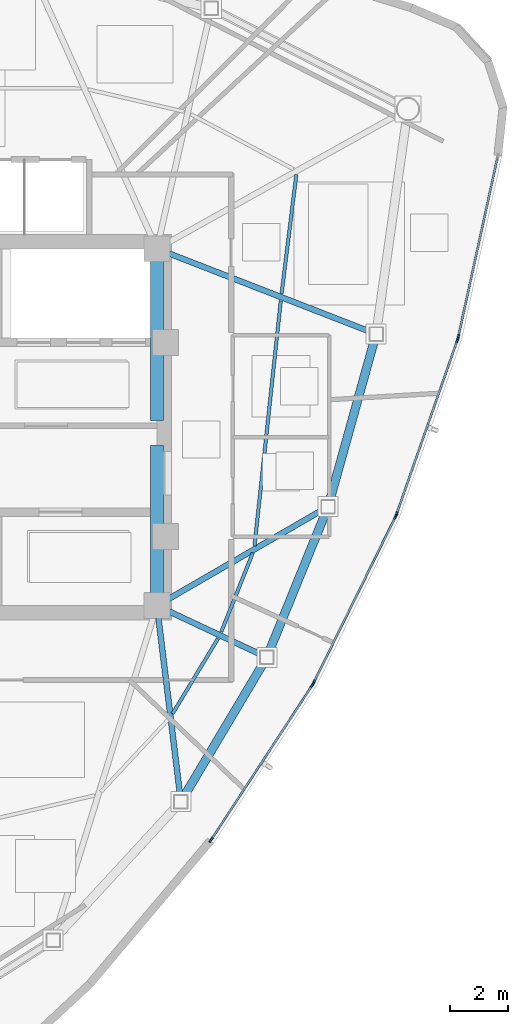
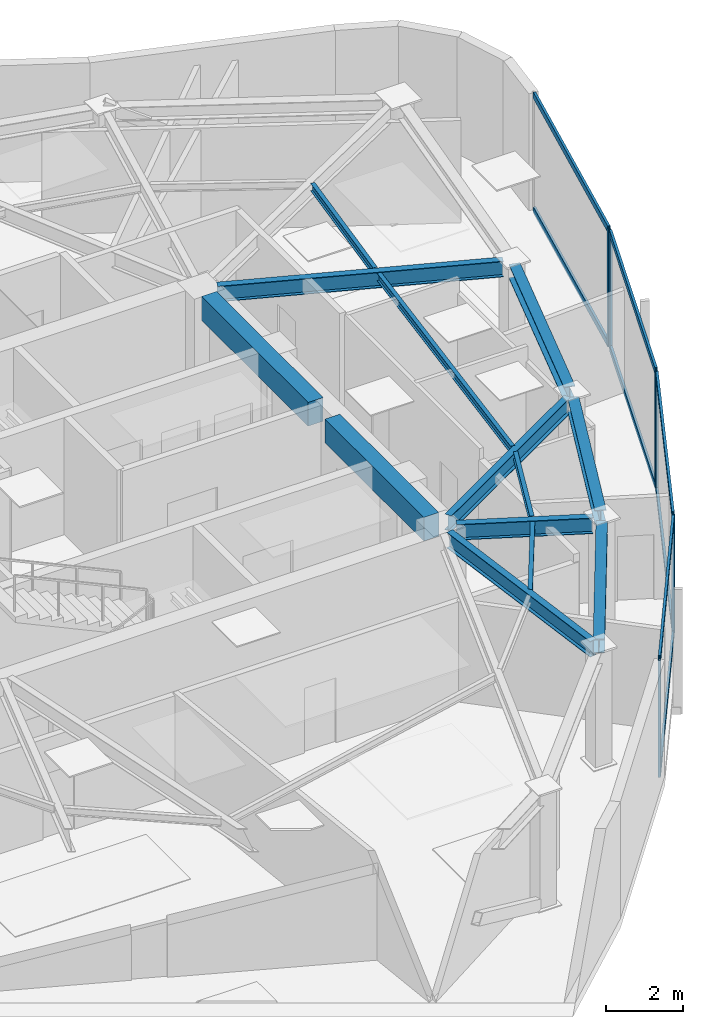
# One storey, part 4 of 13: 15 members, 13 beams, 4 elements without a shape of their own.
"""IFC4 building model written with IfcOpenShell, lengths in metres."""

from ifc_helpers import new_model, si_unit, direction, frame, origin, origin_2d, place, context, subcontext, project, spatial, rectangle, hollow_rectangle, i_section, extrude, source, transform, mapped, material, layer, layer_set, material_profile, profile_set, type_object, type_shapes, element, aggregate, save


model = new_model("IFC4")

# Units and contexts
model_context = context("Model", 3, precision=1e-05, world=origin(), true_north=direction((0.0, 1.0)))
body_context = subcontext(model_context, "Body", "Model", "MODEL_VIEW")
ifc_project = project(units=[si_unit("LENGTHUNIT", "METRE"), si_unit("AREAUNIT", "SQUARE_METRE"), si_unit("VOLUMEUNIT", "CUBIC_METRE"), si_unit("PLANEANGLEUNIT", "RADIAN"), si_unit("MASSUNIT", "GRAM", prefix="KILO")], contexts=[model_context])

# Site, building, storey
site_placement = place(None, origin())
site = spatial("IfcSite", under=ifc_project, at=site_placement, CompositionType="ELEMENT")
building_placement = place(site_placement, origin())
building = spatial("IfcBuilding", under=site, at=building_placement, Name="Tavelor Broadcast Tower", CompositionType="ELEMENT")
storey_placement = place(building_placement, frame((0.0, 0.0, 297.5)))
storey = spatial("IfcBuildingStorey", under=building, at=storey_placement, Name="L71", CompositionType="ELEMENT", Elevation=297.5)

# Beams
ifc_material_1 = material(Name="Concrete C40/50", Category="concrete")
ifc_material_profile_1 = material_profile(ifc_material_1, rectangle(XDim=0.449951171875, YDim=0.75, at=origin_2d()), Name="RC 450x750")
ifc_profile_set_1 = profile_set([ifc_material_profile_1], Name="Concrete C40/50")
beam_type_1 = type_object("IfcBeamType", Name="Basement Core Trim Beam 450x750", PredefinedType="BEAM", material=ifc_profile_set_1)
beam_1_placement = place(storey_placement, frame((56.60009765625, 45.23193359375, 3.324951171875), z_axis=(0.0, 1.0, 0.0), x_axis=(-1.0, 0.0, 0.0)))
element("IfcBeam", 1, at=beam_1_placement, inside=storey, type_object=beam_type_1, Name="L71 Core East-N Tie Girder", PredefinedType="BEAM", context=body_context, shape_type="SweptSolid", body=[
    extrude(rectangle(XDim=0.449951171875, YDim=0.75, at=origin_2d()), origin(), (0.0, 0.0, 1.0), 5.5361328125),
])
beam_2_placement = place(storey_placement, frame((56.60009765625, 39.23193359375, 3.324951171875), z_axis=(0.0, 1.0, 0.0), x_axis=(-1.0, 0.0, 0.0)))
element("IfcBeam", 2, at=beam_2_placement, inside=storey, type_object=beam_type_1, Name="L71 Core East-S Tie Girder", PredefinedType="BEAM", context=body_context, shape_type="SweptSolid", body=[
    extrude(rectangle(XDim=0.449951171875, YDim=0.75, at=origin_2d()), origin(), (0.0, 0.0, 1.0), 5.135986328125),
])
ifc_material_2 = material(Name="Steel S355", Category="steel")
ifc_material_profile_2 = material_profile(ifc_material_2, i_section(OverallWidth=0.1201171875, OverallDepth=0.239990234375, WebThickness=0.006103515625, FlangeThickness=0.009765625, at=origin_2d()), Name="IPE 240")
ifc_profile_set_2 = profile_set([ifc_material_profile_2], Name="Steel S355")
beam_type_2 = type_object("IfcBeamType", Name="Composite Floor Joist T7 IPE 240", PredefinedType="JOIST", material=ifc_profile_set_2)
beam_3_placement = place(storey_placement, frame((57.13916015625, 35.042724609375, 3.580078125), z_axis=(0.517298358592, 0.855805122793, 0.0), x_axis=(-0.855805122793, 0.517298358592, 0.0)))
element("IfcBeam", 3, at=beam_3_placement, inside=storey, type_object=beam_type_2, Name="L71 Secondary Composite Floor Joist 09", PredefinedType="JOIST", context=body_context, shape_type="SweptSolid", body=[
    extrude(i_section(OverallWidth=0.1201171875, OverallDepth=0.239990234375, WebThickness=0.006103515625, FlangeThickness=0.009765625, at=origin_2d()), origin(), (0.0, 0.0, 1.0), 3.058837890625),
])
beam_4_placement = place(storey_placement, frame((58.8359375, 37.890625, 3.580078125), z_axis=(0.370036486067, 0.929017222111, 0.0), x_axis=(-0.929017222111, 0.370036486067, 0.0)))
element("IfcBeam", 4, at=beam_4_placement, inside=storey, type_object=beam_type_2, Name="L71 Secondary Composite Floor Joist 10", PredefinedType="JOIST", context=body_context, shape_type="SweptSolid", body=[
    extrude(i_section(OverallWidth=0.1201171875, OverallDepth=0.239990234375, WebThickness=0.006103515625, FlangeThickness=0.009765625, at=origin_2d()), origin(), (0.0, 0.0, 1.0), 2.953857421875),
])
beam_5_placement = place(storey_placement, frame((59.990478515625, 40.8828125, 3.580078125), z_axis=(0.106517007909, 0.994310880473, 0.0), x_axis=(-0.994310880473, 0.106517007909, 0.0)))
element("IfcBeam", 5, at=beam_5_placement, inside=storey, type_object=beam_type_2, Name="L71 Secondary Composite Floor Joist 11", PredefinedType="JOIST", context=body_context, shape_type="SweptSolid", body=[
    extrude(i_section(OverallWidth=0.1201171875, OverallDepth=0.239990234375, WebThickness=0.006103515625, FlangeThickness=0.009765625, at=origin_2d()), origin(), (0.0, 0.0, 1.0), 8.558349609375),
])
beam_6_placement = place(storey_placement, frame((60.931884765625, 49.648681640625, 3.580078125), z_axis=(0.12271283089, 0.992442220552, 0.0), x_axis=(-0.992442220552, 0.12271283089, 0.0)))
element("IfcBeam", 6, at=beam_6_placement, inside=storey, type_object=beam_type_2, Name="L71 Secondary Composite Floor Joist 12", PredefinedType="JOIST", context=body_context, shape_type="SweptSolid", body=[
    extrude(i_section(OverallWidth=0.1201171875, OverallDepth=0.239990234375, WebThickness=0.006103515625, FlangeThickness=0.009765625, at=origin_2d()), origin(), (0.0, 0.0, 1.0), 4.16015625),
])
ifc_material_profile_3 = material_profile(ifc_material_2, i_section(OverallWidth=0.300048828125, OverallDepth=0.43994140625, WebThickness=0.011474609375, FlangeThickness=0.02099609375, at=origin_2d()), Name="HEA 450")
ifc_profile_set_3 = profile_set([ifc_material_profile_3], Name="Steel S355")
beam_type_3 = type_object("IfcBeamType", Name="Perimeter Spandrel Beam T7 HEA 450", PredefinedType="SPANDREL", material=ifc_profile_set_3)
beam_7_placement = place(storey_placement, frame((57.55419921875, 32.1982421875, 3.47998046875), z_axis=(0.511838109634, 0.859081922477, 0.0), x_axis=(-0.859081922477, 0.511838109634, 0.0)))
element("IfcBeam", 7, at=beam_7_placement, inside=storey, type_object=beam_type_3, Name="L71 Framed-Tube Ring Spandrel 09", PredefinedType="SPANDREL", context=body_context, shape_type="SweptSolid", body=[
    extrude(i_section(OverallWidth=0.300048828125, OverallDepth=0.43994140625, WebThickness=0.011474609375, FlangeThickness=0.02099609375, at=origin_2d()), origin(), (0.0, 0.0, 1.0), 5.354736328125),
])
beam_8_placement = place(storey_placement, frame((60.5078125, 37.226806640625, 3.47998046875), z_axis=(0.376269405566, 0.926510299152, 0.0), x_axis=(-0.926510299152, 0.376269405566, 0.0)))
element("IfcBeam", 8, at=beam_8_placement, inside=storey, type_object=beam_type_3, Name="L71 Framed-Tube Ring Spandrel 10", PredefinedType="SPANDREL", context=body_context, shape_type="SweptSolid", body=[
    extrude(i_section(OverallWidth=0.300048828125, OverallDepth=0.43994140625, WebThickness=0.011474609375, FlangeThickness=0.02099609375, at=origin_2d()), origin(), (0.0, 0.0, 1.0), 5.17138671875),
])
beam_9_placement = place(storey_placement, frame((62.608154296875, 42.4716796875, 3.47998046875), z_axis=(0.268356099851, 0.963319782664, 0.0), x_axis=(-0.963319782664, 0.268356099851, 0.0)))
element("IfcBeam", 9, at=beam_9_placement, inside=storey, type_object=beam_type_3, Name="L71 Framed-Tube Ring Spandrel 11", PredefinedType="SPANDREL", context=body_context, shape_type="SweptSolid", body=[
    extrude(i_section(OverallWidth=0.300048828125, OverallDepth=0.43994140625, WebThickness=0.011474609375, FlangeThickness=0.02099609375, at=origin_2d()), origin(), (0.0, 0.0, 1.0), 5.7451171875),
])
ifc_material_profile_4 = material_profile(ifc_material_2, i_section(OverallWidth=0.199951171875, OverallDepth=0.5, WebThickness=0.01025390625, FlangeThickness=0.01611328125, at=origin_2d()), Name="IPE 500")
ifc_profile_set_4 = profile_set([ifc_material_profile_4], Name="Steel S355")
beam_type_4 = type_object("IfcBeamType", Name="Radial Floor Girder T7 IPE 500", PredefinedType="BEAM", material=ifc_profile_set_4)
beam_10_placement = place(storey_placement, frame((56.65234375, 38.37109375, 3.449951171875), z_axis=(0.121231727596, -0.992624233144, 0.0), x_axis=(0.992624233144, 0.121231727596, 0.0)))
element("IfcBeam", 10, at=beam_10_placement, inside=storey, type_object=beam_type_4, Name="L71 Radial Primary Floor Girder 09", PredefinedType="BEAM", context=body_context, shape_type="SweptSolid", body=[
    extrude(i_section(OverallWidth=0.199951171875, OverallDepth=0.5, WebThickness=0.01025390625, FlangeThickness=0.01611328125, at=origin_2d()), origin(), (0.0, 0.0, 1.0), 6.1865234375),
])
beam_11_placement = place(storey_placement, frame((56.990966796875, 38.6162109375, 3.449951171875), z_axis=(0.904907602736, -0.425608071483, 0.0), x_axis=(0.425608071483, 0.904907602736, 0.0)))
element("IfcBeam", 11, at=beam_11_placement, inside=storey, type_object=beam_type_4, Name="L71 Radial Primary Floor Girder 10", PredefinedType="BEAM", context=body_context, shape_type="SweptSolid", body=[
    extrude(i_section(OverallWidth=0.199951171875, OverallDepth=0.5, WebThickness=0.01025390625, FlangeThickness=0.01611328125, at=origin_2d()), origin(), (0.0, 0.0, 1.0), 3.546630859375),
])
beam_12_placement = place(storey_placement, frame((56.973876953125, 39.016357421875, 3.449951171875), z_axis=(0.865460455047, 0.500977245741, 0.0), x_axis=(-0.500977245741, 0.865460455047, 0.0)))
element("IfcBeam", 12, at=beam_12_placement, inside=storey, type_object=beam_type_4, Name="L71 Radial Primary Floor Girder 11", PredefinedType="BEAM", context=body_context, shape_type="SweptSolid", body=[
    extrude(i_section(OverallWidth=0.199951171875, OverallDepth=0.5, WebThickness=0.01025390625, FlangeThickness=0.01611328125, at=origin_2d()), origin(), (0.0, 0.0, 1.0), 6.19580078125),
])
beam_13_placement = place(storey_placement, frame((57.002685546875, 51.04345703125, 3.449951171875), z_axis=(0.931940498833, -0.362611233466, 0.0), x_axis=(0.362611233466, 0.931940498833, 0.0)))
element("IfcBeam", 13, at=beam_13_placement, inside=storey, type_object=beam_type_4, Name="L71 Radial Primary Floor Girder 12", PredefinedType="BEAM", context=body_context, shape_type="SweptSolid", body=[
    extrude(i_section(OverallWidth=0.199951171875, OverallDepth=0.5, WebThickness=0.01025390625, FlangeThickness=0.01611328125, at=origin_2d()), origin(), (0.0, 0.0, 1.0), 7.498291015625),
])

# Curtain wall, members
ifc_material_3 = material(Name="Architectural Anodized Aluminium", Category="aluminium")
ifc_layer = layer(ifc_material_3, 0.199951171875)
ifc_layer_set = layer_set([ifc_layer], Name="Architectural Anodized Aluminium")
curtain_wall_type = type_object("IfcCurtainWallType", Name="Tower High-Zone Triple-Glazed Curtain Wall CW04", PredefinedType="NOTDEFINED", material=ifc_layer_set)
curtain_wall_1_placement = place(storey_placement, origin())
curtain_wall_1 = element("IfcCurtainWall", 14, at=curtain_wall_1_placement, inside=storey, type_object=curtain_wall_type, Name="L71 Curtain Wall CW04 Run 785", PredefinedType="NOTDEFINED")
ifc_material_profile_5 = material_profile(ifc_material_3, hollow_rectangle(XDim=0.070068359375, YDim=0.199951171875, WallThickness=0.02197265625, at=origin_2d()), Name="RHS 70x200x22")
ifc_profile_set_5 = profile_set([ifc_material_profile_5], Name="Architectural Anodized Aluminium")
member_type_1 = type_object("IfcMemberType", Name="CW04 Extruded Aluminium Mullion 70x200", PredefinedType="MULLION", material=ifc_profile_set_5)
shared_shape_1 = source(origin(), body_context, "Body", "SweptSolid", [
    extrude(hollow_rectangle(XDim=0.070068359375, YDim=0.199951171875, WallThickness=0.02197265625, at=origin_2d()), origin(), (0.0, 0.0, 1.0), 3.699951171875),
])
type_shapes(member_type_1, [shared_shape_1])
member_1_placement = place(storey_placement, frame((58.481201171875, 30.66357421875, 0.0), z_axis=(0.0, 0.0, 1.0), x_axis=(-0.837004308044, 0.547196297791, 0.0)))
member_1 = element("IfcMember", 15, at=member_1_placement, type_object=member_type_1, Name="CW04 mullion 1", PredefinedType="MULLION", context=body_context, shape_type="MappedRepresentation", body=[
    mapped(shared_shape_1, transform((0.0, 0.0, 0.0), scale=1.0)),
])
member_2_placement = place(storey_placement, frame((61.999267578125, 36.044921875, 0.0), z_axis=(0.0, 0.0, 1.0), x_axis=(-0.837004308044, 0.547196297791, 0.0)))
member_2 = element("IfcMember", 16, at=member_2_placement, type_object=member_type_1, Name="CW04 mullion 2", PredefinedType="MULLION", context=body_context, shape_type="MappedRepresentation", body=[
    mapped(shared_shape_1, transform((0.0, 0.0, 0.0), scale=1.0)),
])

curtain_wall_2_placement = place(storey_placement, origin())
curtain_wall_2 = element("IfcCurtainWall", 17, at=curtain_wall_2_placement, inside=storey, type_object=curtain_wall_type, Name="L71 Curtain Wall CW04 Run 786", PredefinedType="NOTDEFINED")
member_3_placement = place(storey_placement, frame((62.048583984375, 36.131591796875, 0.0), z_axis=(0.0, 0.0, 1.0), x_axis=(-0.897070146492, 0.441888167157, 0.0)))
member_3 = element("IfcMember", 18, at=member_3_placement, type_object=member_type_1, Name="CW04 mullion 1", PredefinedType="MULLION", context=body_context, shape_type="MappedRepresentation", body=[
    mapped(shared_shape_1, transform((0.0, 0.0, 0.0), scale=1.0)),
])
member_4_placement = place(storey_placement, frame((64.8828125, 41.885498046875, 0.0), z_axis=(0.0, 0.0, 1.0), x_axis=(-0.897070146492, 0.441888167157, 0.0)))
member_4 = element("IfcMember", 19, at=member_4_placement, type_object=member_type_1, Name="CW04 mullion 2", PredefinedType="MULLION", context=body_context, shape_type="MappedRepresentation", body=[
    mapped(shared_shape_1, transform((0.0, 0.0, 0.0), scale=1.0)),
])

curtain_wall_3_placement = place(storey_placement, origin())
curtain_wall_3 = element("IfcCurtainWall", 20, at=curtain_wall_3_placement, inside=storey, type_object=curtain_wall_type, Name="L71 Curtain Wall CW04 Run 787", PredefinedType="NOTDEFINED")
member_5_placement = place(storey_placement, frame((64.921630859375, 41.9775390625, 0.0), z_axis=(0.0, 0.0, 1.0), x_axis=(-0.943947042952, 0.330096925314, 0.0)))
member_5 = element("IfcMember", 21, at=member_5_placement, type_object=member_type_1, Name="CW04 mullion 1", PredefinedType="MULLION", context=body_context, shape_type="MappedRepresentation", body=[
    mapped(shared_shape_1, transform((0.0, 0.0, 0.0), scale=1.0)),
])
member_6_placement = place(storey_placement, frame((67.038818359375, 48.0322265625, 0.0), z_axis=(0.0, 0.0, 1.0), x_axis=(-0.943947042952, 0.330096925314, 0.0)))
member_6 = element("IfcMember", 22, at=member_6_placement, type_object=member_type_1, Name="CW04 mullion 2", PredefinedType="MULLION", context=body_context, shape_type="MappedRepresentation", body=[
    mapped(shared_shape_1, transform((0.0, 0.0, 0.0), scale=1.0)),
])

# Curtain wall, member
curtain_wall_4_placement = place(storey_placement, origin())
curtain_wall_4 = element("IfcCurtainWall", 23, at=curtain_wall_4_placement, inside=storey, type_object=curtain_wall_type, Name="L71 Curtain Wall CW04 Run 788", PredefinedType="NOTDEFINED")
member_7_placement = place(storey_placement, frame((67.06591796875, 48.128173828125, 0.0), z_axis=(0.0, 0.0, 1.0), x_axis=(-0.976959394551, 0.213425259512, 0.0)))
member_7 = element("IfcMember", 24, at=member_7_placement, type_object=member_type_1, Name="CW04 mullion 1", PredefinedType="MULLION", context=body_context, shape_type="MappedRepresentation", body=[
    mapped(shared_shape_1, transform((0.0, 0.0, 0.0), scale=1.0)),
])

# Member
ifc_material_profile_6 = material_profile(ifc_material_3, hollow_rectangle(XDim=0.070068359375, YDim=0.199951171875, WallThickness=0.02197265625, at=origin_2d()), Name="RHS 70x200x22")
ifc_profile_set_6 = profile_set([ifc_material_profile_6], Name="Architectural Anodized Aluminium")
member_type_2 = type_object("IfcMemberType", Name="CW04 Extruded Aluminium Transom 70x200", PredefinedType="USERDEFINED", material=ifc_profile_set_6)
shared_shape_2 = source(origin(), body_context, "Body", "SweptSolid", [
    extrude(hollow_rectangle(XDim=0.070068359375, YDim=0.199951171875, WallThickness=0.02197265625, at=origin_2d()), origin(), (0.0, 0.0, 1.0), 6.359375),
])
member_8_placement = place(storey_placement, frame((58.500244140625, 30.69287109375, 0.034912109375), z_axis=(0.547191436535, 0.837007486097, 0.0), x_axis=(-0.837007486097, 0.547191436535, 0.0)))
member_8 = element("IfcMember", 25, at=member_8_placement, type_object=member_type_2, Name="CW04 transom 1.1", ObjectType="TRANSOM", PredefinedType="USERDEFINED", context=body_context, shape_type="MappedRepresentation", body=[
    mapped(shared_shape_2, transform((0.0, 0.0, 0.0), scale=1.0)),
])

member_9_placement = place(storey_placement, frame((58.500244140625, 30.69287109375, 3.6650390625), z_axis=(0.547191436535, 0.837007486097, 0.0), x_axis=(-0.837007486097, 0.547191436535, 0.0)))
member_9 = element("IfcMember", 26, at=member_9_placement, type_object=member_type_2, Name="CW04 transom 1.2", ObjectType="TRANSOM", PredefinedType="USERDEFINED", context=body_context, shape_type="MappedRepresentation", body=[
    mapped(shared_shape_2, transform((0.0, 0.0, 0.0), scale=1.0)),
])

aggregate(curtain_wall_1, [member_1, member_2, member_8, member_9])

shared_shape_3 = source(origin(), body_context, "Body", "SweptSolid", [
    extrude(hollow_rectangle(XDim=0.070068359375, YDim=0.199951171875, WallThickness=0.02197265625, at=origin_2d()), origin(), (0.0, 0.0, 1.0), 6.34423828125),
])
member_10_placement = place(storey_placement, frame((62.06396484375, 36.1630859375, 0.034912109375), z_axis=(0.441895120735, 0.897066721192, 0.0), x_axis=(-0.897066721192, 0.441895120735, 0.0)))
member_10 = element("IfcMember", 27, at=member_10_placement, type_object=member_type_2, Name="CW04 transom 1.1", ObjectType="TRANSOM", PredefinedType="USERDEFINED", context=body_context, shape_type="MappedRepresentation", body=[
    mapped(shared_shape_3, transform((0.0, 0.0, 0.0), scale=1.0)),
])

member_11_placement = place(storey_placement, frame((62.06396484375, 36.1630859375, 3.6650390625), z_axis=(0.441895120735, 0.897066721192, 0.0), x_axis=(-0.897066721192, 0.441895120735, 0.0)))
member_11 = element("IfcMember", 28, at=member_11_placement, type_object=member_type_2, Name="CW04 transom 1.2", ObjectType="TRANSOM", PredefinedType="USERDEFINED", context=body_context, shape_type="MappedRepresentation", body=[
    mapped(shared_shape_3, transform((0.0, 0.0, 0.0), scale=1.0)),
])

aggregate(curtain_wall_2, [member_3, member_4, member_10, member_11])

member_12_placement = place(storey_placement, frame((64.93310546875, 42.0107421875, 0.034912109375), z_axis=(0.330105289419, 0.943944117995, 0.0), x_axis=(-0.943944117995, 0.330105289419, 0.0)))
member_12 = element("IfcMember", 29, at=member_12_placement, type_object=member_type_2, Name="CW04 transom 1.1", ObjectType="TRANSOM", PredefinedType="USERDEFINED", context=body_context, shape_type="MappedRepresentation", body=[
    mapped(shared_shape_3, transform((0.0, 0.0, 0.0), scale=1.0)),
])

member_13_placement = place(storey_placement, frame((64.93310546875, 42.0107421875, 3.6650390625), z_axis=(0.330105289419, 0.943944117995, 0.0), x_axis=(-0.943944117995, 0.330105289419, 0.0)))
member_13 = element("IfcMember", 30, at=member_13_placement, type_object=member_type_2, Name="CW04 transom 1.2", ObjectType="TRANSOM", PredefinedType="USERDEFINED", context=body_context, shape_type="MappedRepresentation", body=[
    mapped(shared_shape_3, transform((0.0, 0.0, 0.0), scale=1.0)),
])

aggregate(curtain_wall_3, [member_5, member_6, member_12, member_13])

shared_shape_4 = source(origin(), body_context, "Body", "SweptSolid", [
    extrude(hollow_rectangle(XDim=0.070068359375, YDim=0.199951171875, WallThickness=0.02197265625, at=origin_2d()), origin(), (0.0, 0.0, 1.0), 6.360107421875),
])
type_shapes(member_type_2, [shared_shape_2, shared_shape_3, shared_shape_4])
member_14_placement = place(storey_placement, frame((67.073486328125, 48.16259765625, 0.034912109375), z_axis=(0.213425557794, 0.976959329389, 0.0), x_axis=(-0.976959329389, 0.213425557794, 0.0)))
member_14 = element("IfcMember", 31, at=member_14_placement, type_object=member_type_2, Name="CW04 transom 1.1", ObjectType="TRANSOM", PredefinedType="USERDEFINED", context=body_context, shape_type="MappedRepresentation", body=[
    mapped(shared_shape_4, transform((0.0, 0.0, 0.0), scale=1.0)),
])

member_15_placement = place(storey_placement, frame((67.073486328125, 48.16259765625, 3.6650390625), z_axis=(0.213425557794, 0.976959329389, 0.0), x_axis=(-0.976959329389, 0.213425557794, 0.0)))
member_15 = element("IfcMember", 32, at=member_15_placement, type_object=member_type_2, Name="CW04 transom 1.2", ObjectType="TRANSOM", PredefinedType="USERDEFINED", context=body_context, shape_type="MappedRepresentation", body=[
    mapped(shared_shape_4, transform((0.0, 0.0, 0.0), scale=1.0)),
])

aggregate(curtain_wall_4, [member_7, member_14, member_15])

save(model, "model.ifc")
